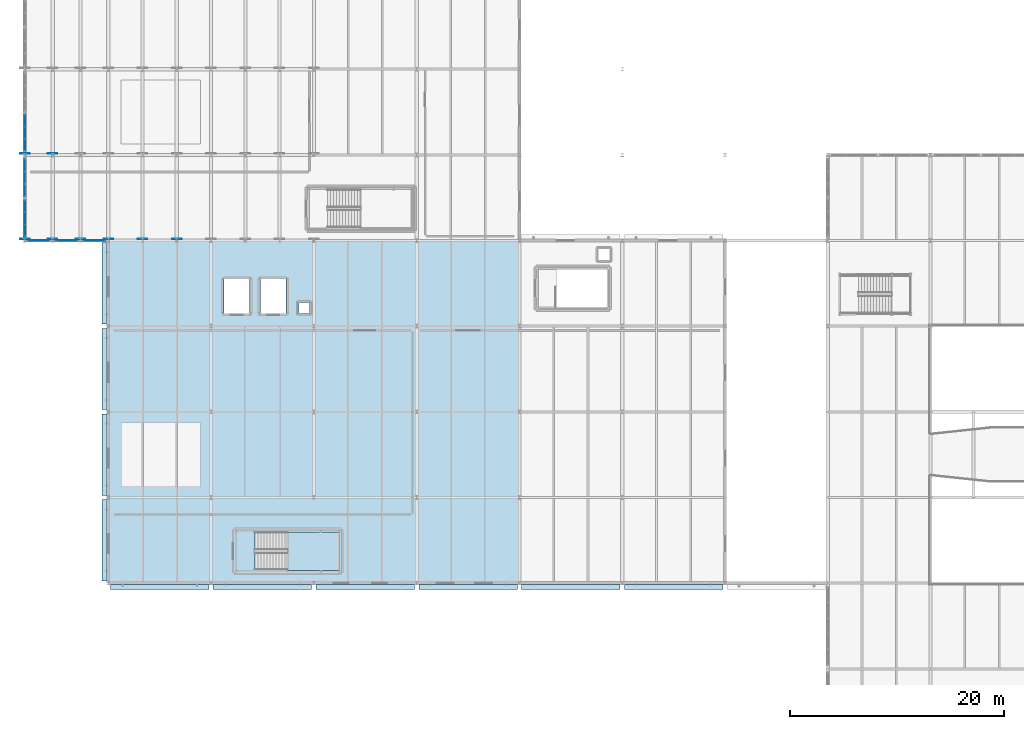
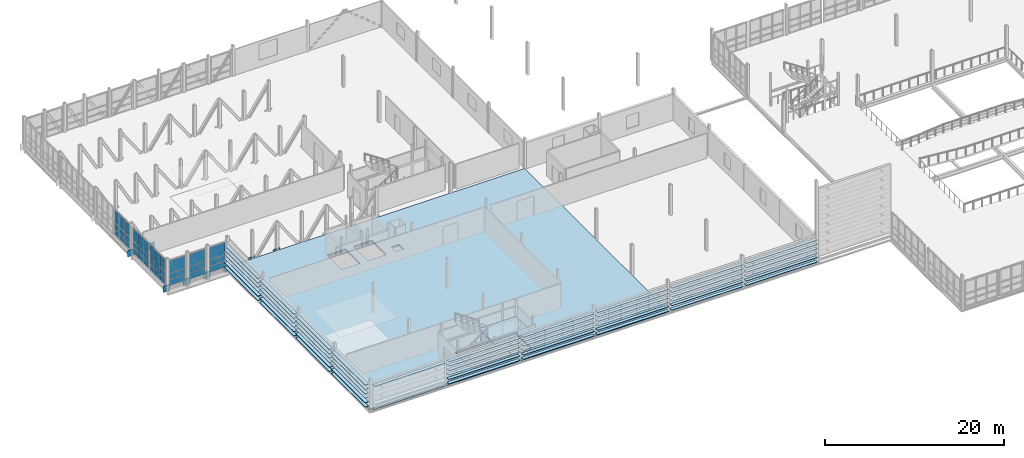
# One storey, part 45 of 73: 99 plates, 2 slabs, 7 elements without a shape of their own.
"""IFC4 building model written with IfcOpenShell, lengths in metres."""

from ifc_helpers import new_model, si_unit, direction, frame, origin, origin_2d, place, context, subcontext, project, spatial, polyline, rectangle, outline, extrude, material, layer, layer_set, type_object, element, aggregate, save


model = new_model("IFC4")

# Units and contexts
model_context = context("Model", 3, precision=1e-05, world=origin(), true_north=direction((0.0, 1.0)))
body_context = subcontext(model_context, "Body", "Model", "MODEL_VIEW")
ifc_project = project(units=[si_unit("LENGTHUNIT", "METRE"), si_unit("AREAUNIT", "SQUARE_METRE"), si_unit("VOLUMEUNIT", "CUBIC_METRE"), si_unit("PLANEANGLEUNIT", "RADIAN"), si_unit("MASSUNIT", "GRAM", prefix="KILO")], contexts=[model_context])

# Site, building, storey
site_placement = place(None, origin())
site = spatial("IfcSite", under=ifc_project, at=site_placement, CompositionType="ELEMENT")
building_placement = place(site_placement, origin())
building = spatial("IfcBuilding", under=site, at=building_placement, Name="Alderhovde Museum", CompositionType="ELEMENT")
storey_placement = place(building_placement, frame((0.0, 0.0, 12.89990234375)))
storey = spatial("IfcBuildingStorey", under=building, at=storey_placement, Name="L03", CompositionType="ELEMENT", Elevation=12.89990234375)

# Curtain wall, plates
ifc_material_1 = material(Name="Triple-Glazed Bronze-Anodised Curtain Wall", Category="glass")
ifc_layer_1 = layer(ifc_material_1, 0.179931640625)
ifc_layer_set_1 = layer_set([ifc_layer_1], Name="Triple-Glazed Bronze-Anodised Curtain Wall")
curtain_wall_type_1 = type_object("IfcCurtainWallType", Name="CW-UNIT-360x354", PredefinedType="USERDEFINED", material=ifc_layer_set_1)
curtain_wall_1_placement = place(storey_placement, origin())
curtain_wall_1 = element("IfcCurtainWall", 1, at=curtain_wall_1_placement, inside=storey, type_object=curtain_wall_type_1, Name="L03 Unitised Curtain Wall 92", ObjectType="UNITISED CURTAIN WALL", PredefinedType="USERDEFINED")
ifc_material_2 = material(Name="Triple-Glazed Low-E Laminated Glass", Category="glass")
ifc_layer_2 = layer(ifc_material_2, 0.028076171875)
ifc_layer_set_2 = layer_set([ifc_layer_2], Name="Triple-Glazed Low-E Laminated Glass")
plate_type_1 = type_object("IfcPlateType", Name="CWP-GLAZ-28", PredefinedType="CURTAIN_PANEL", material=ifc_layer_set_2)
plate_1_placement = place(storey_placement, frame((1.800048828125, 84.666259765625, 0.06494140625), z_axis=(0.0, 0.0, 1.0), x_axis=(0.0, 1.0, 0.0)))
plate_1 = element("IfcPlate", 2, at=plate_1_placement, type_object=plate_type_1, Name="CW20 panel 1.1", PredefinedType="CURTAIN_PANEL", context=body_context, shape_type="SweptSolid", body=[
    extrude(rectangle(XDim=1.1025390625, YDim=0.028076171875, at=origin_2d()), origin(), (0.0, 0.0, 1.0), 0.802490234375),
])
plate_2_placement = place(storey_placement, frame((1.800048828125, 84.666259765625, 0.9326171875), z_axis=(0.0, 0.0, 1.0), x_axis=(0.0, 1.0, 0.0)))
plate_2 = element("IfcPlate", 3, at=plate_2_placement, type_object=plate_type_1, Name="CW20 panel 1.2", PredefinedType="CURTAIN_PANEL", context=body_context, shape_type="SweptSolid", body=[
    extrude(rectangle(XDim=1.1025390625, YDim=0.028076171875, at=origin_2d()), origin(), (0.0, 0.0, 1.0), 0.804931640625),
])
plate_3_placement = place(storey_placement, frame((1.800048828125, 84.666259765625, 1.802734375), z_axis=(0.0, 0.0, 1.0), x_axis=(0.0, 1.0, 0.0)))
plate_3 = element("IfcPlate", 4, at=plate_3_placement, type_object=plate_type_1, Name="CW20 panel 1.3", PredefinedType="CURTAIN_PANEL", context=body_context, shape_type="SweptSolid", body=[
    extrude(rectangle(XDim=1.1025390625, YDim=0.028076171875, at=origin_2d()), origin(), (0.0, 0.0, 1.0), 1.672607421875),
])
plate_4_placement = place(storey_placement, frame((1.800048828125, 85.85009765625, 0.06494140625), z_axis=(0.0, 0.0, 1.0), x_axis=(0.0, 1.0, 0.0)))
plate_4 = element("IfcPlate", 5, at=plate_4_placement, type_object=plate_type_1, Name="CW20 panel 2.1", PredefinedType="CURTAIN_PANEL", context=body_context, shape_type="SweptSolid", body=[
    extrude(rectangle(XDim=1.135009765625, YDim=0.028076171875, at=origin_2d()), origin(), (0.0, 0.0, 1.0), 0.802490234375),
])
plate_5_placement = place(storey_placement, frame((1.800048828125, 85.85009765625, 0.9326171875), z_axis=(0.0, 0.0, 1.0), x_axis=(0.0, 1.0, 0.0)))
plate_5 = element("IfcPlate", 6, at=plate_5_placement, type_object=plate_type_1, Name="CW20 panel 2.2", PredefinedType="CURTAIN_PANEL", context=body_context, shape_type="SweptSolid", body=[
    extrude(rectangle(XDim=1.135009765625, YDim=0.028076171875, at=origin_2d()), origin(), (0.0, 0.0, 1.0), 0.804931640625),
])
plate_6_placement = place(storey_placement, frame((1.800048828125, 85.85009765625, 1.802734375), z_axis=(0.0, 0.0, 1.0), x_axis=(0.0, 1.0, 0.0)))
plate_6 = element("IfcPlate", 7, at=plate_6_placement, type_object=plate_type_1, Name="CW20 panel 2.3", PredefinedType="CURTAIN_PANEL", context=body_context, shape_type="SweptSolid", body=[
    extrude(rectangle(XDim=1.135009765625, YDim=0.028076171875, at=origin_2d()), origin(), (0.0, 0.0, 1.0), 1.672607421875),
])
plate_7_placement = place(storey_placement, frame((1.800048828125, 87.03369140625, 0.06494140625), z_axis=(0.0, 0.0, 1.0), x_axis=(0.0, 1.0, 0.0)))
plate_7 = element("IfcPlate", 8, at=plate_7_placement, type_object=plate_type_1, Name="CW20 panel 3.1", PredefinedType="CURTAIN_PANEL", context=body_context, shape_type="SweptSolid", body=[
    extrude(rectangle(XDim=1.1025390625, YDim=0.028076171875, at=origin_2d()), origin(), (0.0, 0.0, 1.0), 0.802490234375),
])
plate_8_placement = place(storey_placement, frame((1.800048828125, 87.03369140625, 0.9326171875), z_axis=(0.0, 0.0, 1.0), x_axis=(0.0, 1.0, 0.0)))
plate_8 = element("IfcPlate", 9, at=plate_8_placement, type_object=plate_type_1, Name="CW20 panel 3.2", PredefinedType="CURTAIN_PANEL", context=body_context, shape_type="SweptSolid", body=[
    extrude(rectangle(XDim=1.1025390625, YDim=0.028076171875, at=origin_2d()), origin(), (0.0, 0.0, 1.0), 0.804931640625),
])
plate_9_placement = place(storey_placement, frame((1.800048828125, 87.03369140625, 1.802734375), z_axis=(0.0, 0.0, 1.0), x_axis=(0.0, 1.0, 0.0)))
plate_9 = element("IfcPlate", 10, at=plate_9_placement, type_object=plate_type_1, Name="CW20 panel 3.3", PredefinedType="CURTAIN_PANEL", context=body_context, shape_type="SweptSolid", body=[
    extrude(rectangle(XDim=1.1025390625, YDim=0.028076171875, at=origin_2d()), origin(), (0.0, 0.0, 1.0), 1.672607421875),
])
aggregate(curtain_wall_1, [plate_1, plate_2, plate_3, plate_4, plate_5, plate_6, plate_7, plate_8, plate_9])

ifc_material_3 = material(Name="Triple-Glazed Bronze-Anodised Curtain Wall", Category="glass")
ifc_layer_3 = layer(ifc_material_3, 0.179931640625)
ifc_layer_set_3 = layer_set([ifc_layer_3], Name="Triple-Glazed Bronze-Anodised Curtain Wall")
curtain_wall_type_2 = type_object("IfcCurtainWallType", Name="CW-UNIT-212x354", PredefinedType="USERDEFINED", material=ifc_layer_set_3)
curtain_wall_2_placement = place(storey_placement, origin())
curtain_wall_2 = element("IfcCurtainWall", 11, at=curtain_wall_2_placement, inside=storey, type_object=curtain_wall_type_2, Name="L03 Unitised Curtain Wall 100", ObjectType="UNITISED CURTAIN WALL", PredefinedType="USERDEFINED")
plate_10_placement = place(storey_placement, frame((3.10009765625, 80.0, 0.06494140625), z_axis=(0.0, 0.0, 1.0), x_axis=(1.0, 0.0, 0.0)))
plate_10 = element("IfcPlate", 12, at=plate_10_placement, type_object=plate_type_1, Name="CW25 panel 1.1", PredefinedType="CURTAIN_PANEL", context=body_context, shape_type="SweptSolid", body=[
    extrude(rectangle(XDim=1.989990234375, YDim=0.028076171875, at=origin_2d()), origin(), (0.0, 0.0, 1.0), 0.802490234375),
])
plate_11_placement = place(storey_placement, frame((3.10009765625, 80.0, 0.9326171875), z_axis=(0.0, 0.0, 1.0), x_axis=(1.0, 0.0, 0.0)))
plate_11 = element("IfcPlate", 13, at=plate_11_placement, type_object=plate_type_1, Name="CW25 panel 1.2", PredefinedType="CURTAIN_PANEL", context=body_context, shape_type="SweptSolid", body=[
    extrude(rectangle(XDim=1.989990234375, YDim=0.028076171875, at=origin_2d()), origin(), (0.0, 0.0, 1.0), 0.804931640625),
])
plate_12_placement = place(storey_placement, frame((3.10009765625, 80.0, 1.802734375), z_axis=(0.0, 0.0, 1.0), x_axis=(1.0, 0.0, 0.0)))
plate_12 = element("IfcPlate", 14, at=plate_12_placement, type_object=plate_type_1, Name="CW25 panel 1.3", PredefinedType="CURTAIN_PANEL", context=body_context, shape_type="SweptSolid", body=[
    extrude(rectangle(XDim=1.989990234375, YDim=0.028076171875, at=origin_2d()), origin(), (0.0, 0.0, 1.0), 1.672607421875),
])
aggregate(curtain_wall_2, [plate_10, plate_11, plate_12])

curtain_wall_3_placement = place(storey_placement, origin())
curtain_wall_3 = element("IfcCurtainWall", 15, at=curtain_wall_3_placement, inside=storey, type_object=curtain_wall_type_2, Name="L03 Unitised Curtain Wall 104", ObjectType="UNITISED CURTAIN WALL", PredefinedType="USERDEFINED")
plate_13_placement = place(storey_placement, frame((8.300048828125, 80.0, 0.06494140625), z_axis=(0.0, 0.0, 1.0), x_axis=(1.0, 0.0, 0.0)))
plate_13 = element("IfcPlate", 16, at=plate_13_placement, type_object=plate_type_1, Name="CW25 panel 1.1", PredefinedType="CURTAIN_PANEL", context=body_context, shape_type="SweptSolid", body=[
    extrude(rectangle(XDim=1.989990234375, YDim=0.028076171875, at=origin_2d()), origin(), (0.0, 0.0, 1.0), 0.802490234375),
])
plate_14_placement = place(storey_placement, frame((8.300048828125, 80.0, 0.9326171875), z_axis=(0.0, 0.0, 1.0), x_axis=(1.0, 0.0, 0.0)))
plate_14 = element("IfcPlate", 17, at=plate_14_placement, type_object=plate_type_1, Name="CW25 panel 1.2", PredefinedType="CURTAIN_PANEL", context=body_context, shape_type="SweptSolid", body=[
    extrude(rectangle(XDim=1.989990234375, YDim=0.028076171875, at=origin_2d()), origin(), (0.0, 0.0, 1.0), 0.804931640625),
])
plate_15_placement = place(storey_placement, frame((8.300048828125, 80.0, 1.802734375), z_axis=(0.0, 0.0, 1.0), x_axis=(1.0, 0.0, 0.0)))
plate_15 = element("IfcPlate", 18, at=plate_15_placement, type_object=plate_type_1, Name="CW25 panel 1.3", PredefinedType="CURTAIN_PANEL", context=body_context, shape_type="SweptSolid", body=[
    extrude(rectangle(XDim=1.989990234375, YDim=0.028076171875, at=origin_2d()), origin(), (0.0, 0.0, 1.0), 1.672607421875),
])
aggregate(curtain_wall_3, [plate_13, plate_14, plate_15])

ifc_material_4 = material(Name="Triple-Glazed Bronze-Anodised Curtain Wall", Category="glass")
ifc_layer_4 = layer(ifc_material_4, 0.179931640625)
ifc_layer_set_4 = layer_set([ifc_layer_4], Name="Triple-Glazed Bronze-Anodised Curtain Wall")
curtain_wall_type_3 = type_object("IfcCurtainWallType", Name="CW-UNIT-345x354", PredefinedType="USERDEFINED", material=ifc_layer_set_4)
curtain_wall_4_placement = place(storey_placement, origin())
curtain_wall_4 = element("IfcCurtainWall", 19, at=curtain_wall_4_placement, inside=storey, type_object=curtain_wall_type_3, Name="L03 Unitised Curtain Wall 93", ObjectType="UNITISED CURTAIN WALL", PredefinedType="USERDEFINED")
ifc_material_5 = material(Name="Triple-Glazed Low-E Laminated Glass", Category="glass")
ifc_layer_5 = layer(ifc_material_5, 0.035888671875)
ifc_layer_set_5 = layer_set([ifc_layer_5], Name="Triple-Glazed Low-E Laminated Glass")
plate_type_2 = type_object("IfcPlateType", Name="CWP-GLAZ-36", PredefinedType="CURTAIN_PANEL", material=ifc_layer_set_5)
plate_16_placement = place(storey_placement, frame((1.800048828125, 88.941162109375, 0.06494140625), z_axis=(0.0, 0.0, 1.0), x_axis=(0.0, 1.0, 0.0)))
plate_16 = element("IfcPlate", 20, at=plate_16_placement, type_object=plate_type_2, Name="CW24 panel 1.1", PredefinedType="CURTAIN_PANEL", context=body_context, shape_type="SweptSolid", body=[
    extrude(rectangle(XDim=1.052490234375, YDim=0.035888671875, at=origin_2d()), origin(), (0.0, 0.0, 1.0), 0.802490234375),
])
plate_17_placement = place(storey_placement, frame((1.800048828125, 88.941162109375, 0.9326171875), z_axis=(0.0, 0.0, 1.0), x_axis=(0.0, 1.0, 0.0)))
plate_17 = element("IfcPlate", 21, at=plate_17_placement, type_object=plate_type_2, Name="CW24 panel 1.2", PredefinedType="CURTAIN_PANEL", context=body_context, shape_type="SweptSolid", body=[
    extrude(rectangle(XDim=1.052490234375, YDim=0.035888671875, at=origin_2d()), origin(), (0.0, 0.0, 1.0), 0.804931640625),
])
plate_18_placement = place(storey_placement, frame((1.800048828125, 88.941162109375, 1.802734375), z_axis=(0.0, 0.0, 1.0), x_axis=(0.0, 1.0, 0.0)))
plate_18 = element("IfcPlate", 22, at=plate_18_placement, type_object=plate_type_2, Name="CW24 panel 1.3", PredefinedType="CURTAIN_PANEL", context=body_context, shape_type="SweptSolid", body=[
    extrude(rectangle(XDim=1.052490234375, YDim=0.035888671875, at=origin_2d()), origin(), (0.0, 0.0, 1.0), 1.672607421875),
])
plate_19_placement = place(storey_placement, frame((1.800048828125, 90.074951171875, 0.06494140625), z_axis=(0.0, 0.0, 1.0), x_axis=(0.0, 1.0, 0.0)))
plate_19 = element("IfcPlate", 23, at=plate_19_placement, type_object=plate_type_2, Name="CW24 panel 2.1", PredefinedType="CURTAIN_PANEL", context=body_context, shape_type="SweptSolid", body=[
    extrude(rectangle(XDim=1.0849609375, YDim=0.035888671875, at=origin_2d()), origin(), (0.0, 0.0, 1.0), 0.802490234375),
])
plate_20_placement = place(storey_placement, frame((1.800048828125, 90.074951171875, 0.9326171875), z_axis=(0.0, 0.0, 1.0), x_axis=(0.0, 1.0, 0.0)))
plate_20 = element("IfcPlate", 24, at=plate_20_placement, type_object=plate_type_2, Name="CW24 panel 2.2", PredefinedType="CURTAIN_PANEL", context=body_context, shape_type="SweptSolid", body=[
    extrude(rectangle(XDim=1.0849609375, YDim=0.035888671875, at=origin_2d()), origin(), (0.0, 0.0, 1.0), 0.804931640625),
])
plate_21_placement = place(storey_placement, frame((1.800048828125, 90.074951171875, 1.802734375), z_axis=(0.0, 0.0, 1.0), x_axis=(0.0, 1.0, 0.0)))
plate_21 = element("IfcPlate", 25, at=plate_21_placement, type_object=plate_type_2, Name="CW24 panel 2.3", PredefinedType="CURTAIN_PANEL", context=body_context, shape_type="SweptSolid", body=[
    extrude(rectangle(XDim=1.0849609375, YDim=0.035888671875, at=origin_2d()), origin(), (0.0, 0.0, 1.0), 1.672607421875),
])
plate_22_placement = place(storey_placement, frame((1.800048828125, 91.208740234375, 0.06494140625), z_axis=(0.0, 0.0, 1.0), x_axis=(0.0, 1.0, 0.0)))
plate_22 = element("IfcPlate", 26, at=plate_22_placement, type_object=plate_type_2, Name="CW24 panel 3.1", PredefinedType="CURTAIN_PANEL", context=body_context, shape_type="SweptSolid", body=[
    extrude(rectangle(XDim=1.052490234375, YDim=0.035888671875, at=origin_2d()), origin(), (0.0, 0.0, 1.0), 0.802490234375),
])
plate_23_placement = place(storey_placement, frame((1.800048828125, 91.208740234375, 0.9326171875), z_axis=(0.0, 0.0, 1.0), x_axis=(0.0, 1.0, 0.0)))
plate_23 = element("IfcPlate", 27, at=plate_23_placement, type_object=plate_type_2, Name="CW24 panel 3.2", PredefinedType="CURTAIN_PANEL", context=body_context, shape_type="SweptSolid", body=[
    extrude(rectangle(XDim=1.052490234375, YDim=0.035888671875, at=origin_2d()), origin(), (0.0, 0.0, 1.0), 0.804931640625),
])
plate_24_placement = place(storey_placement, frame((1.800048828125, 91.208740234375, 1.802734375), z_axis=(0.0, 0.0, 1.0), x_axis=(0.0, 1.0, 0.0)))
plate_24 = element("IfcPlate", 28, at=plate_24_placement, type_object=plate_type_2, Name="CW24 panel 3.3", PredefinedType="CURTAIN_PANEL", context=body_context, shape_type="SweptSolid", body=[
    extrude(rectangle(XDim=1.052490234375, YDim=0.035888671875, at=origin_2d()), origin(), (0.0, 0.0, 1.0), 1.672607421875),
])
aggregate(curtain_wall_4, [plate_16, plate_17, plate_18, plate_19, plate_20, plate_21, plate_22, plate_23, plate_24])

curtain_wall_5_placement = place(storey_placement, origin())
curtain_wall_5 = element("IfcCurtainWall", 29, at=curtain_wall_5_placement, inside=storey, type_object=curtain_wall_type_2, Name="L03 Unitised Curtain Wall 102", ObjectType="UNITISED CURTAIN WALL", PredefinedType="USERDEFINED")
ifc_material_6 = material(Name="Triple-Glazed Low-E Laminated Glass", Category="glass")
ifc_layer_6 = layer(ifc_material_6, 0.0439453125)
ifc_layer_set_6 = layer_set([ifc_layer_6], Name="Triple-Glazed Low-E Laminated Glass")
plate_type_3 = type_object("IfcPlateType", Name="CWP-GLAZ-44", PredefinedType="CURTAIN_PANEL", material=ifc_layer_set_6)
plate_25_placement = place(storey_placement, frame((5.699951171875, 80.0, 0.06494140625), z_axis=(0.0, 0.0, 1.0), x_axis=(1.0, 0.0, 0.0)))
plate_25 = element("IfcPlate", 30, at=plate_25_placement, type_object=plate_type_3, Name="CW25 panel 1.1", PredefinedType="CURTAIN_PANEL", context=body_context, shape_type="SweptSolid", body=[
    extrude(rectangle(XDim=1.989990234375, YDim=0.0439453125, at=origin_2d()), origin(), (0.0, 0.0, 1.0), 0.802490234375),
])
plate_26_placement = place(storey_placement, frame((5.699951171875, 80.0, 0.9326171875), z_axis=(0.0, 0.0, 1.0), x_axis=(1.0, 0.0, 0.0)))
plate_26 = element("IfcPlate", 31, at=plate_26_placement, type_object=plate_type_3, Name="CW25 panel 1.2", PredefinedType="CURTAIN_PANEL", context=body_context, shape_type="SweptSolid", body=[
    extrude(rectangle(XDim=1.989990234375, YDim=0.0439453125, at=origin_2d()), origin(), (0.0, 0.0, 1.0), 0.804931640625),
])
plate_27_placement = place(storey_placement, frame((5.699951171875, 80.0, 1.802734375), z_axis=(0.0, 0.0, 1.0), x_axis=(1.0, 0.0, 0.0)))
plate_27 = element("IfcPlate", 32, at=plate_27_placement, type_object=plate_type_3, Name="CW25 panel 1.3", PredefinedType="CURTAIN_PANEL", context=body_context, shape_type="SweptSolid", body=[
    extrude(rectangle(XDim=1.989990234375, YDim=0.0439453125, at=origin_2d()), origin(), (0.0, 0.0, 1.0), 1.672607421875),
])
aggregate(curtain_wall_5, [plate_25, plate_26, plate_27])

curtain_wall_6_placement = place(storey_placement, origin())
curtain_wall_6 = element("IfcCurtainWall", 33, at=curtain_wall_6_placement, inside=storey, type_object=curtain_wall_type_3, Name="L03 Unitised Curtain Wall 91", ObjectType="UNITISED CURTAIN WALL", PredefinedType="USERDEFINED")
ifc_material_7 = material(Name="Triple-Glazed Low-E Laminated Glass", Category="glass")
ifc_layer_7 = layer(ifc_material_7, 0.052001953125)
ifc_layer_set_7 = layer_set([ifc_layer_7], Name="Triple-Glazed Low-E Laminated Glass")
plate_type_4 = type_object("IfcPlateType", Name="CWP-GLAZ-52", PredefinedType="CURTAIN_PANEL", material=ifc_layer_set_7)
plate_28_placement = place(storey_placement, frame((1.800048828125, 80.941162109375, 0.06494140625), z_axis=(0.0, 0.0, 1.0), x_axis=(0.0, 1.0, 0.0)))
plate_28 = element("IfcPlate", 34, at=plate_28_placement, type_object=plate_type_4, Name="CW24 panel 1.1", PredefinedType="CURTAIN_PANEL", context=body_context, shape_type="SweptSolid", body=[
    extrude(rectangle(XDim=1.052490234375, YDim=0.052001953125, at=origin_2d()), origin(), (0.0, 0.0, 1.0), 0.802490234375),
])
plate_29_placement = place(storey_placement, frame((1.800048828125, 80.941162109375, 0.9326171875), z_axis=(0.0, 0.0, 1.0), x_axis=(0.0, 1.0, 0.0)))
plate_29 = element("IfcPlate", 35, at=plate_29_placement, type_object=plate_type_4, Name="CW24 panel 1.2", PredefinedType="CURTAIN_PANEL", context=body_context, shape_type="SweptSolid", body=[
    extrude(rectangle(XDim=1.052490234375, YDim=0.052001953125, at=origin_2d()), origin(), (0.0, 0.0, 1.0), 0.804931640625),
])
plate_30_placement = place(storey_placement, frame((1.800048828125, 80.941162109375, 1.802734375), z_axis=(0.0, 0.0, 1.0), x_axis=(0.0, 1.0, 0.0)))
plate_30 = element("IfcPlate", 36, at=plate_30_placement, type_object=plate_type_4, Name="CW24 panel 1.3", PredefinedType="CURTAIN_PANEL", context=body_context, shape_type="SweptSolid", body=[
    extrude(rectangle(XDim=1.052490234375, YDim=0.052001953125, at=origin_2d()), origin(), (0.0, 0.0, 1.0), 1.672607421875),
])
plate_31_placement = place(storey_placement, frame((1.800048828125, 82.074951171875, 0.06494140625), z_axis=(0.0, 0.0, 1.0), x_axis=(0.0, 1.0, 0.0)))
plate_31 = element("IfcPlate", 37, at=plate_31_placement, type_object=plate_type_4, Name="CW24 panel 2.1", PredefinedType="CURTAIN_PANEL", context=body_context, shape_type="SweptSolid", body=[
    extrude(rectangle(XDim=1.0849609375, YDim=0.052001953125, at=origin_2d()), origin(), (0.0, 0.0, 1.0), 0.802490234375),
])
plate_32_placement = place(storey_placement, frame((1.800048828125, 82.074951171875, 0.9326171875), z_axis=(0.0, 0.0, 1.0), x_axis=(0.0, 1.0, 0.0)))
plate_32 = element("IfcPlate", 38, at=plate_32_placement, type_object=plate_type_4, Name="CW24 panel 2.2", PredefinedType="CURTAIN_PANEL", context=body_context, shape_type="SweptSolid", body=[
    extrude(rectangle(XDim=1.0849609375, YDim=0.052001953125, at=origin_2d()), origin(), (0.0, 0.0, 1.0), 0.804931640625),
])
plate_33_placement = place(storey_placement, frame((1.800048828125, 82.074951171875, 1.802734375), z_axis=(0.0, 0.0, 1.0), x_axis=(0.0, 1.0, 0.0)))
plate_33 = element("IfcPlate", 39, at=plate_33_placement, type_object=plate_type_4, Name="CW24 panel 2.3", PredefinedType="CURTAIN_PANEL", context=body_context, shape_type="SweptSolid", body=[
    extrude(rectangle(XDim=1.0849609375, YDim=0.052001953125, at=origin_2d()), origin(), (0.0, 0.0, 1.0), 1.672607421875),
])
plate_34_placement = place(storey_placement, frame((1.800048828125, 83.208740234375, 0.06494140625), z_axis=(0.0, 0.0, 1.0), x_axis=(0.0, 1.0, 0.0)))
plate_34 = element("IfcPlate", 40, at=plate_34_placement, type_object=plate_type_4, Name="CW24 panel 3.1", PredefinedType="CURTAIN_PANEL", context=body_context, shape_type="SweptSolid", body=[
    extrude(rectangle(XDim=1.052490234375, YDim=0.052001953125, at=origin_2d()), origin(), (0.0, 0.0, 1.0), 0.802490234375),
])
plate_35_placement = place(storey_placement, frame((1.800048828125, 83.208740234375, 0.9326171875), z_axis=(0.0, 0.0, 1.0), x_axis=(0.0, 1.0, 0.0)))
plate_35 = element("IfcPlate", 41, at=plate_35_placement, type_object=plate_type_4, Name="CW24 panel 3.2", PredefinedType="CURTAIN_PANEL", context=body_context, shape_type="SweptSolid", body=[
    extrude(rectangle(XDim=1.052490234375, YDim=0.052001953125, at=origin_2d()), origin(), (0.0, 0.0, 1.0), 0.804931640625),
])
plate_36_placement = place(storey_placement, frame((1.800048828125, 83.208740234375, 1.802734375), z_axis=(0.0, 0.0, 1.0), x_axis=(0.0, 1.0, 0.0)))
plate_36 = element("IfcPlate", 42, at=plate_36_placement, type_object=plate_type_4, Name="CW24 panel 3.3", PredefinedType="CURTAIN_PANEL", context=body_context, shape_type="SweptSolid", body=[
    extrude(rectangle(XDim=1.052490234375, YDim=0.052001953125, at=origin_2d()), origin(), (0.0, 0.0, 1.0), 1.672607421875),
])
aggregate(curtain_wall_6, [plate_28, plate_29, plate_30, plate_31, plate_32, plate_33, plate_34, plate_35, plate_36])

# Plates
ifc_material_8 = material(Name="Bronze-Anodised Aluminium EN AW-6063-T6", Category="aluminium")
ifc_layer_8 = layer(ifc_material_8, 0.06494140625)
ifc_layer_set_8 = layer_set([ifc_layer_8], Name="Bronze-Anodised Aluminium EN AW-6063-T6")
plate_type_5 = type_object("IfcPlateType", Name="LV-BLADE-450", PredefinedType="USERDEFINED", material=ifc_layer_set_8)
for number, where, z_axis, x_axis, name in (
    (43, (9.2451171875, 52.0, 0.267578125), (0.0, 0.0, 1.0), (0.0, 1.0, 0.0), "L03 Wrap-Around Horizontal Louvre 127"),
    (44, (9.2451171875, 52.0, 0.86767578125), (0.0, 0.0, 1.0), (0.0, 1.0, 0.0), "L03 Wrap-Around Horizontal Louvre 128"),
    (45, (9.2451171875, 52.0, 1.467529296875), (0.0, 0.0, 1.0), (0.0, 1.0, 0.0), "L03 Wrap-Around Horizontal Louvre 129"),
    (46, (9.2451171875, 52.0, 2.067626953125), (0.0, 0.0, 1.0), (0.0, 1.0, 0.0), "L03 Wrap-Around Horizontal Louvre 130"),
    (47, (9.2451171875, 52.0, 2.667724609375), (0.0, 0.0, 1.0), (0.0, 1.0, 0.0), "L03 Wrap-Around Horizontal Louvre 131"),
    (48, (9.2451171875, 52.0, 3.267578125), (0.0, 0.0, 1.0), (0.0, 1.0, 0.0), "L03 Wrap-Around Horizontal Louvre 132"),
    (49, (9.2451171875, 60.0, 0.267578125), (0.0, 0.0, 1.0), (0.0, 1.0, 0.0), "L03 Wrap-Around Horizontal Louvre 133"),
    (50, (9.2451171875, 60.0, 0.86767578125), (0.0, 0.0, 1.0), (0.0, 1.0, 0.0), "L03 Wrap-Around Horizontal Louvre 134"),
    (51, (9.2451171875, 60.0, 1.467529296875), (0.0, 0.0, 1.0), (0.0, 1.0, 0.0), "L03 Wrap-Around Horizontal Louvre 135"),
    (52, (9.2451171875, 60.0, 2.067626953125), (0.0, 0.0, 1.0), (0.0, 1.0, 0.0), "L03 Wrap-Around Horizontal Louvre 136"),
    (53, (9.2451171875, 60.0, 2.667724609375), (0.0, 0.0, 1.0), (0.0, 1.0, 0.0), "L03 Wrap-Around Horizontal Louvre 137"),
    (54, (9.2451171875, 60.0, 3.267578125), (0.0, 0.0, 1.0), (0.0, 1.0, 0.0), "L03 Wrap-Around Horizontal Louvre 138"),
    (55, (9.2451171875, 68.0, 0.267578125), (0.0, 0.0, 1.0), (0.0, 1.0, 0.0), "L03 Wrap-Around Horizontal Louvre 139"),
    (56, (9.2451171875, 68.0, 0.86767578125), (0.0, 0.0, 1.0), (0.0, 1.0, 0.0), "L03 Wrap-Around Horizontal Louvre 140"),
    (57, (9.2451171875, 68.0, 1.467529296875), (0.0, 0.0, 1.0), (0.0, 1.0, 0.0), "L03 Wrap-Around Horizontal Louvre 141"),
    (58, (9.2451171875, 68.0, 2.067626953125), (0.0, 0.0, 1.0), (0.0, 1.0, 0.0), "L03 Wrap-Around Horizontal Louvre 142"),
    (59, (9.2451171875, 68.0, 2.667724609375), (0.0, 0.0, 1.0), (0.0, 1.0, 0.0), "L03 Wrap-Around Horizontal Louvre 143"),
    (60, (9.2451171875, 68.0, 3.267578125), (0.0, 0.0, 1.0), (0.0, 1.0, 0.0), "L03 Wrap-Around Horizontal Louvre 144"),
    (61, (9.2451171875, 76.0, 0.267578125), (0.0, 0.0, 1.0), (0.0, 1.0, 0.0), "L03 Wrap-Around Horizontal Louvre 145"),
    (62, (9.2451171875, 76.0, 0.86767578125), (0.0, 0.0, 1.0), (0.0, 1.0, 0.0), "L03 Wrap-Around Horizontal Louvre 146"),
    (63, (9.2451171875, 76.0, 1.467529296875), (0.0, 0.0, 1.0), (0.0, 1.0, 0.0), "L03 Wrap-Around Horizontal Louvre 147"),
    (64, (9.2451171875, 76.0, 2.067626953125), (0.0, 0.0, 1.0), (0.0, 1.0, 0.0), "L03 Wrap-Around Horizontal Louvre 148"),
    (65, (9.2451171875, 76.0, 2.667724609375), (0.0, 0.0, 1.0), (0.0, 1.0, 0.0), "L03 Wrap-Around Horizontal Louvre 149"),
    (66, (9.2451171875, 76.0, 3.267578125), (0.0, 0.0, 1.0), (0.0, 1.0, 0.0), "L03 Wrap-Around Horizontal Louvre 150"),
):
    element("IfcPlate", number, at=place(storey_placement, frame(where, z_axis=z_axis, x_axis=x_axis)), inside=storey, type_object=plate_type_5, Name=name, ObjectType="LOUVRE BLADE", PredefinedType="USERDEFINED", context=body_context, shape_type="SweptSolid", body=[
        extrude(rectangle(XDim=7.60009765625, YDim=0.449951171875, at=origin_2d()), origin(), (0.0, 0.0, 1.0), 0.06494140625),
    ])
for number, where, z_axis, x_axis, name in (
    (67, (14.39990234375, 47.64501953125, 3.267578125), (0.0, 0.0, 1.0), (1.0, 0.0, 0.0), "L03 Wrap-Around Horizontal Louvre 156"),
    (68, (24.0, 47.64501953125, 0.267578125), (0.0, 0.0, 1.0), (1.0, 0.0, 0.0), "L03 Wrap-Around Horizontal Louvre 157"),
    (69, (24.0, 47.64501953125, 0.86767578125), (0.0, 0.0, 1.0), (1.0, 0.0, 0.0), "L03 Wrap-Around Horizontal Louvre 158"),
    (70, (24.0, 47.64501953125, 1.467529296875), (0.0, 0.0, 1.0), (1.0, 0.0, 0.0), "L03 Wrap-Around Horizontal Louvre 159"),
    (71, (24.0, 47.64501953125, 2.067626953125), (0.0, 0.0, 1.0), (1.0, 0.0, 0.0), "L03 Wrap-Around Horizontal Louvre 160"),
    (72, (24.0, 47.64501953125, 2.667724609375), (0.0, 0.0, 1.0), (1.0, 0.0, 0.0), "L03 Wrap-Around Horizontal Louvre 161"),
    (73, (24.0, 47.64501953125, 3.267578125), (0.0, 0.0, 1.0), (1.0, 0.0, 0.0), "L03 Wrap-Around Horizontal Louvre 162"),
    (74, (33.60009765625, 47.64501953125, 0.267578125), (0.0, 0.0, 1.0), (1.0, 0.0, 0.0), "L03 Wrap-Around Horizontal Louvre 163"),
    (75, (33.60009765625, 47.64501953125, 0.86767578125), (0.0, 0.0, 1.0), (1.0, 0.0, 0.0), "L03 Wrap-Around Horizontal Louvre 164"),
    (76, (33.60009765625, 47.64501953125, 1.467529296875), (0.0, 0.0, 1.0), (1.0, 0.0, 0.0), "L03 Wrap-Around Horizontal Louvre 165"),
    (77, (33.60009765625, 47.64501953125, 2.067626953125), (0.0, 0.0, 1.0), (1.0, 0.0, 0.0), "L03 Wrap-Around Horizontal Louvre 166"),
    (78, (33.60009765625, 47.64501953125, 2.667724609375), (0.0, 0.0, 1.0), (1.0, 0.0, 0.0), "L03 Wrap-Around Horizontal Louvre 167"),
    (79, (33.60009765625, 47.64501953125, 3.267578125), (0.0, 0.0, 1.0), (1.0, 0.0, 0.0), "L03 Wrap-Around Horizontal Louvre 168"),
    (80, (43.199951171875, 47.64501953125, 0.267578125), (0.0, 0.0, 1.0), (1.0, 0.0, 0.0), "L03 Wrap-Around Horizontal Louvre 169"),
    (81, (43.199951171875, 47.64501953125, 0.86767578125), (0.0, 0.0, 1.0), (1.0, 0.0, 0.0), "L03 Wrap-Around Horizontal Louvre 170"),
    (82, (43.199951171875, 47.64501953125, 1.467529296875), (0.0, 0.0, 1.0), (1.0, 0.0, 0.0), "L03 Wrap-Around Horizontal Louvre 171"),
    (83, (43.199951171875, 47.64501953125, 2.067626953125), (0.0, 0.0, 1.0), (1.0, 0.0, 0.0), "L03 Wrap-Around Horizontal Louvre 172"),
    (84, (43.199951171875, 47.64501953125, 2.667724609375), (0.0, 0.0, 1.0), (1.0, 0.0, 0.0), "L03 Wrap-Around Horizontal Louvre 173"),
    (85, (43.199951171875, 47.64501953125, 3.267578125), (0.0, 0.0, 1.0), (1.0, 0.0, 0.0), "L03 Wrap-Around Horizontal Louvre 174"),
    (86, (52.800048828125, 47.64501953125, 0.267578125), (0.0, 0.0, 1.0), (1.0, 0.0, 0.0), "L03 Wrap-Around Horizontal Louvre 175"),
    (87, (52.800048828125, 47.64501953125, 0.86767578125), (0.0, 0.0, 1.0), (1.0, 0.0, 0.0), "L03 Wrap-Around Horizontal Louvre 176"),
    (88, (52.800048828125, 47.64501953125, 1.467529296875), (0.0, 0.0, 1.0), (1.0, 0.0, 0.0), "L03 Wrap-Around Horizontal Louvre 177"),
    (89, (52.800048828125, 47.64501953125, 2.067626953125), (0.0, 0.0, 1.0), (1.0, 0.0, 0.0), "L03 Wrap-Around Horizontal Louvre 178"),
    (90, (52.800048828125, 47.64501953125, 2.667724609375), (0.0, 0.0, 1.0), (1.0, 0.0, 0.0), "L03 Wrap-Around Horizontal Louvre 179"),
    (91, (52.800048828125, 47.64501953125, 3.267578125), (0.0, 0.0, 1.0), (1.0, 0.0, 0.0), "L03 Wrap-Around Horizontal Louvre 180"),
    (92, (62.39990234375, 47.64501953125, 0.267578125), (0.0, 0.0, 1.0), (1.0, 0.0, 0.0), "L03 Wrap-Around Horizontal Louvre 181"),
    (93, (62.39990234375, 47.64501953125, 0.86767578125), (0.0, 0.0, 1.0), (1.0, 0.0, 0.0), "L03 Wrap-Around Horizontal Louvre 182"),
    (94, (62.39990234375, 47.64501953125, 1.467529296875), (0.0, 0.0, 1.0), (1.0, 0.0, 0.0), "L03 Wrap-Around Horizontal Louvre 183"),
    (95, (62.39990234375, 47.64501953125, 2.067626953125), (0.0, 0.0, 1.0), (1.0, 0.0, 0.0), "L03 Wrap-Around Horizontal Louvre 184"),
    (96, (62.39990234375, 47.64501953125, 2.667724609375), (0.0, 0.0, 1.0), (1.0, 0.0, 0.0), "L03 Wrap-Around Horizontal Louvre 185"),
    (97, (62.39990234375, 47.64501953125, 3.267578125), (0.0, 0.0, 1.0), (1.0, 0.0, 0.0), "L03 Wrap-Around Horizontal Louvre 186"),
):
    element("IfcPlate", number, at=place(storey_placement, frame(where, z_axis=z_axis, x_axis=x_axis)), inside=storey, type_object=plate_type_5, Name=name, ObjectType="LOUVRE BLADE", PredefinedType="USERDEFINED", context=body_context, shape_type="SweptSolid", body=[
        extrude(rectangle(XDim=9.199951171875, YDim=0.449951171875, at=origin_2d()), origin(), (0.0, 0.0, 1.0), 0.06494140625),
    ])
ifc_material_9 = material(Name="Steel S355J2", Category="steel")
ifc_layer_9 = layer(ifc_material_9, 0.035888671875)
ifc_layer_set_9 = layer_set([ifc_layer_9], Name="Steel S355J2")
plate_type_6 = type_object("IfcPlateType", Name="PLT-GUSSET-36", PredefinedType="USERDEFINED", material=ifc_layer_set_9)
for number, where, z_axis, x_axis, name in (
    (98, (1.800048828125, 80.1298828125, -0.719970703125), (0.0, 0.0, 1.0), (1.0, 0.0, 0.0), "Transfer Truss Gusset Plate Y=80 T1-1"),
    (99, (4.39990234375, 80.1298828125, -0.719970703125), (0.0, 0.0, 1.0), (1.0, 0.0, 0.0), "Transfer Truss Gusset Plate Y=80 T1-2"),
    (100, (7.0, 80.1298828125, -0.719970703125), (0.0, 0.0, 1.0), (1.0, 0.0, 0.0), "Transfer Truss Gusset Plate Y=80 T1-3"),
    (101, (9.60009765625, 80.1298828125, -0.719970703125), (0.0, 0.0, 1.0), (1.0, 0.0, 0.0), "Transfer Truss Gusset Plate Y=80 T1-4"),
    (102, (12.800048828125, 80.1298828125, -0.719970703125), (0.0, 0.0, 1.0), (1.0, 0.0, 0.0), "Transfer Truss Gusset Plate Y=80 T1-5"),
    (103, (16.0, 80.1298828125, -0.719970703125), (0.0, 0.0, 1.0), (1.0, 0.0, 0.0), "Transfer Truss Gusset Plate Y=80 T1-6"),
    (104, (1.800048828125, 88.1298828125, -0.719970703125), (0.0, 0.0, 1.0), (1.0, 0.0, 0.0), "Transfer Truss Gusset Plate Y=88 T1-1"),
    (105, (4.39990234375, 88.1298828125, -0.719970703125), (0.0, 0.0, 1.0), (1.0, 0.0, 0.0), "Transfer Truss Gusset Plate Y=88 T1-2"),
):
    element("IfcPlate", number, at=place(storey_placement, frame(where, z_axis=z_axis, x_axis=x_axis)), inside=storey, type_object=plate_type_6, Name=name, ObjectType="GUSSET PLATE", PredefinedType="USERDEFINED", context=body_context, shape_type="SweptSolid", body=[
        extrude(rectangle(XDim=0.89990234375, YDim=0.035888671875, at=origin_2d()), origin(), (0.0, 0.0, 1.0), 0.89990234375),
    ])

# Slab
ifc_material_10 = material(Name="Concrete C35/45", Category="concrete")
ifc_layer_10 = layer(ifc_material_10, 0.260009765625)
ifc_layer_set_10 = layer_set([ifc_layer_10], Name="Concrete C35/45")
slab_type_1 = type_object("IfcSlabType", Name="SLB-FLR-260", PredefinedType="FLOOR", material=ifc_layer_set_10)
slab_1_placement = place(storey_placement, frame((0.0, 0.0, -0.260009765625)))
element("IfcSlab", 106, at=slab_1_placement, inside=storey, type_object=slab_type_1, Name="L03 VOL1 Structural Slab", PredefinedType="FLOOR", context=body_context, shape_type="SweptSolid", body=[
    extrude(outline(polyline([(9.60009765625, 48.0), (48.0, 48.0), (48.0, 80.0), (9.60009765625, 80.0), (9.60009765625, 48.0)]), holes=[polyline([(23.31005859375, 49.199951171875), (31.1201171875, 49.199951171875), (31.1201171875, 52.760009765625), (23.31005859375, 52.760009765625), (23.31005859375, 49.199951171875)]), polyline([(20.39990234375, 73.199951171875), (22.800048828125, 73.199951171875), (22.800048828125, 76.39990234375), (20.39990234375, 76.39990234375), (20.39990234375, 73.199951171875)]), polyline([(23.800048828125, 73.199951171875), (26.199951171875, 73.199951171875), (26.199951171875, 76.39990234375), (23.800048828125, 76.39990234375), (23.800048828125, 73.199951171875)]), polyline([(27.39990234375, 73.199951171875), (28.39990234375, 73.199951171875), (28.39990234375, 74.199951171875), (27.39990234375, 74.199951171875), (27.39990234375, 73.199951171875)])]), origin(), (0.0, 0.0, 1.0), 0.260009765625),
])

# Stair, slab
ifc_material_11 = material(Name="Concrete C35/45", Category="concrete")
stair_type = type_object("IfcStairType", Name="STR-1500-4500", PredefinedType="HALF_TURN_STAIR", material=ifc_material_11)
stair_placement = place(storey_placement, origin())
stair = element("IfcStair", 107, at=stair_placement, inside=storey, type_object=stair_type, Name="L03 Escape Stair ST1", PredefinedType="HALF_TURN_STAIR")
ifc_material_12 = material(Name="Concrete C35/45", Category="concrete")
ifc_layer_11 = layer(ifc_material_12, 0.199951171875)
ifc_layer_set_11 = layer_set([ifc_layer_11], Name="Concrete C35/45")
slab_type_2 = type_object("IfcSlabType", Name="SLB-LANDING-200", PredefinedType="LANDING", material=ifc_layer_set_11)
slab_2_placement = place(storey_placement, frame((0.0, 0.0, 2.050048828125)))
slab_2 = element("IfcSlab", 108, at=slab_2_placement, type_object=slab_type_2, Name="ST1 landing 1", PredefinedType="LANDING", context=body_context, shape_type="SweptSolid", body=[
    extrude(outline(polyline([(26.360107421875, 49.199951171875), (31.1201171875, 49.199951171875), (31.1201171875, 52.760009765625), (26.360107421875, 52.760009765625), (26.360107421875, 49.199951171875)])), origin(), (0.0, 0.0, 1.0), 0.199951171875),
])
aggregate(stair, [slab_2])

save(model, "model.ifc")
